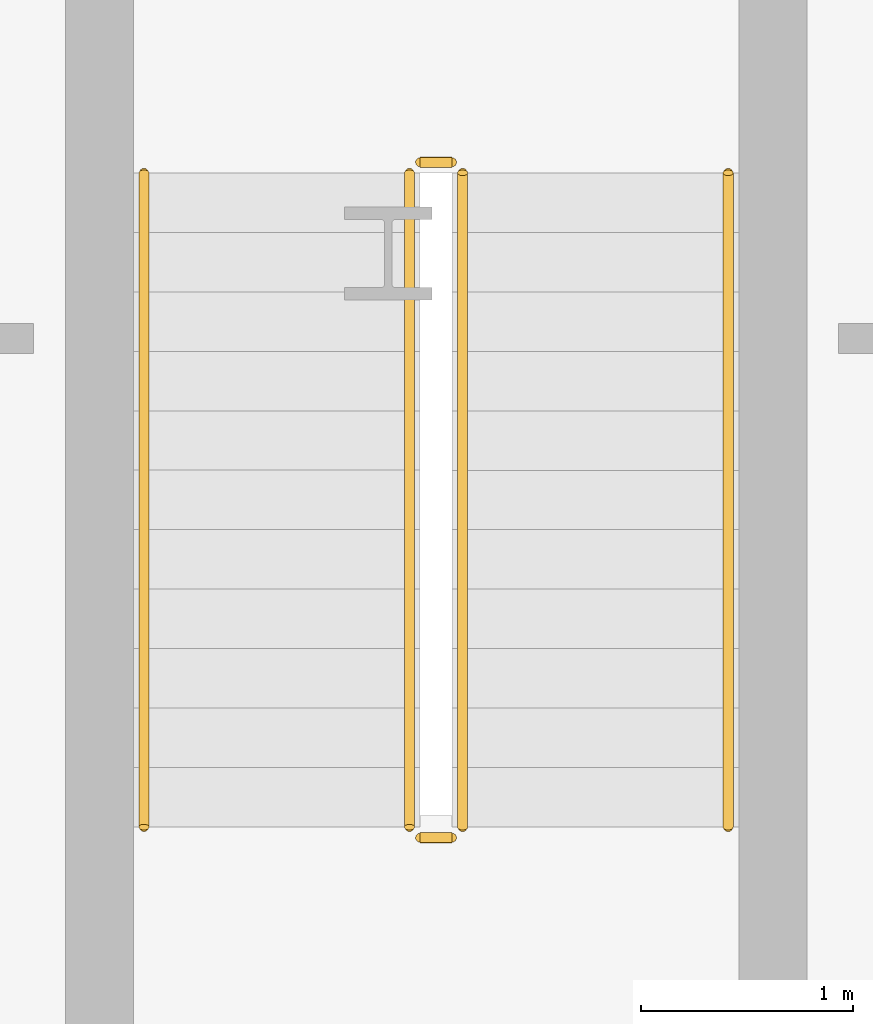
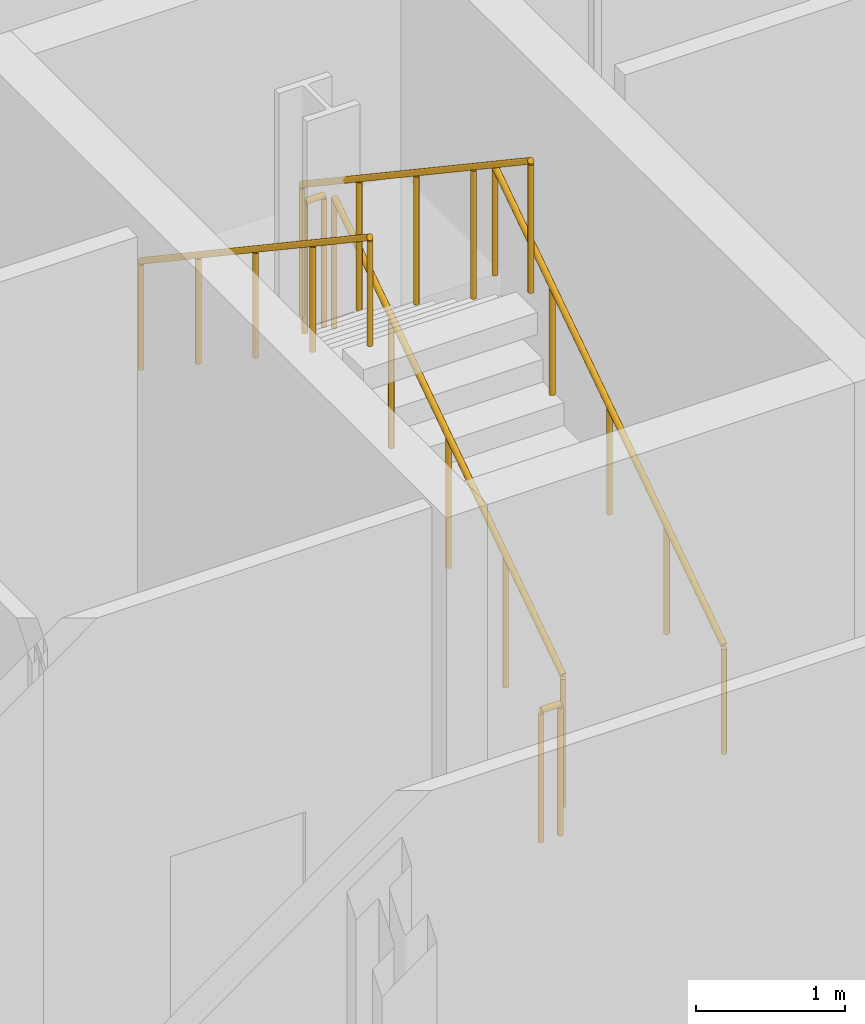
# One storey, part 25 of 25: 6 railings.
"""IFC4 building model written with IfcOpenShell, lengths in metres."""

import ifcopenshell
import ifcopenshell.guid

model = None  # the IFC model being written
_history = None  # IfcOwnerHistory: only IFC2X3 demands one
_inside = {}  # id of a spatial element -> (the spatial element, [elements in it])
_under = {}  # id of a project, library or spatial element -> (it, [spatial elements below it])
_declared = {}  # id of a project -> (the project, [libraries it declares])
_typed = {}  # id of a type object -> (the type object, [elements of that type])
_made_of = {}  # id of a material, layer set ... -> (it, [elements and type objects made of it])


def new_model(schema):
    """Start an empty IFC model of exactly this schema.

    Asked for "IFC4X3", IfcOpenShell would pick the latest addendum, in which some entities
    have other attributes; the version numbers below select the first issue.
    IFC2X3 requires an IfcOwnerHistory on every rooted entity: one is made here for all.
    """
    global model, _history
    if schema == "IFC4X3":
        model = ifcopenshell.file(schema_version=(4, 3, 0, 0))
    else:
        model = ifcopenshell.file(schema=schema)
    _inside.clear()
    _under.clear()
    _declared.clear()
    _typed.clear()
    _made_of.clear()
    _history = None
    if model.schema == "IFC2X3":
        org = make("IfcOrganization", Name="unknown")
        user = make(
            "IfcPersonAndOrganization",
            ThePerson=make("IfcPerson", FamilyName="unknown"),
            TheOrganization=org,
        )
        app = make(
            "IfcApplication",
            ApplicationDeveloper=org,
            Version="unknown",
            ApplicationFullName="unknown",
            ApplicationIdentifier="unknown",
        )
        _history = make(
            "IfcOwnerHistory",
            OwningUser=user,
            OwningApplication=app,
            ChangeAction="ADDED",
            CreationDate=0,
        )
    return model


def make(cls, **values):
    """One entity of the class cls with the attributes given. An attribute that is None is left unset."""
    return model.create_entity(
        cls, **{name: value for name, value in values.items() if value is not None}
    )


def rooted(cls, **values):
    """An entity with a GlobalId (a new one), such as an element, a storey or a relation."""
    return make(cls, GlobalId=ifcopenshell.guid.new(), OwnerHistory=_history, **values)


def si_unit(unit_type, name, prefix=None):
    """IfcSIUnit, for example si_unit("LENGTHUNIT", "METRE", prefix="MILLI")."""
    return make("IfcSIUnit", UnitType=unit_type, Prefix=prefix, Name=name)


def assignment(units):
    """IfcUnitAssignment: the units of a project."""
    return None if units is None else make("IfcUnitAssignment", Units=units)


def point(xyz):
    """IfcCartesianPoint."""
    return None if xyz is None else make("IfcCartesianPoint", Coordinates=xyz)


def direction(xyz):
    """IfcDirection."""
    return None if xyz is None else make("IfcDirection", DirectionRatios=xyz)


def frame(location, z_axis=None, x_axis=None):
    """IfcAxis2Placement3D, a coordinate frame: its origin and axes. An axis left out is left unset."""
    return make(
        "IfcAxis2Placement3D",
        Location=point(location),
        Axis=direction(z_axis),
        RefDirection=direction(x_axis),
    )


def frame_2d(location, x_axis=None):
    """IfcAxis2Placement2D, a coordinate frame in the plane: its origin and x axis."""
    return make(
        "IfcAxis2Placement2D", Location=point(location), RefDirection=direction(x_axis)
    )


def origin():
    """The frame at (0, 0, 0) with its axes left unset."""
    return frame((0.0, 0.0, 0.0))


def origin_2d():
    """The frame at (0, 0) in the plane with its x axis left unset."""
    return frame_2d((0.0, 0.0))


def place(relative_to, where):
    """IfcLocalPlacement: puts the frame where relative to a parent placement (None: the world)."""
    return make(
        "IfcLocalPlacement", PlacementRelTo=relative_to, RelativePlacement=where
    )


def context(
    kind, dimensions, precision=None, world=None, true_north=None, identifier=None
):
    """IfcGeometricRepresentationContext, for example the 3D "Model" context."""
    return make(
        "IfcGeometricRepresentationContext",
        ContextIdentifier=identifier,
        ContextType=kind,
        CoordinateSpaceDimension=dimensions,
        Precision=precision,
        WorldCoordinateSystem=world,
        TrueNorth=true_north,
    )


def subcontext(parent, identifier, kind, view, scale=None):
    """IfcGeometricRepresentationSubContext, for example "Body" below "Model"."""
    return make(
        "IfcGeometricRepresentationSubContext",
        ContextIdentifier=identifier,
        ContextType=kind,
        ParentContext=parent,
        TargetScale=scale,
        TargetView=view,
    )


def project(units=None, contexts=None):
    """IfcProject with its units and contexts."""
    return rooted(
        "IfcProject",
        Name="project",
        RepresentationContexts=contexts,
        UnitsInContext=assignment(units),
    )


def spatial(cls, under=None, at=None, **own):
    """A site, building, storey or space (cls), placed at a placement, below another one or the project."""
    s = rooted(cls, ObjectPlacement=at, **own)
    if under is not None:
        _under.setdefault(under.id(), (under, []))[1].append(s)
    return s


def profile(cls, at=None, kind="AREA", **sizes):
    """A parametric profile (cls). Its sizes go by their IFC names, for example OverallWidth=200.0."""
    return make(cls, ProfileType=kind, Position=at, **sizes)


def circle(**sizes):
    """IfcCircleProfileDef."""
    return profile("IfcCircleProfileDef", **sizes)


def extrude(swept, where, along, depth):
    """IfcExtrudedAreaSolid: the profile swept, set in the frame where, extruded along a direction by depth."""
    return make(
        "IfcExtrudedAreaSolid",
        SweptArea=swept,
        Position=where,
        ExtrudedDirection=direction(along),
        Depth=depth,
    )


def shape(context_of_items, identifier, shape_type, items):
    """IfcShapeRepresentation: the items that make up one representation, for example the "Body"."""
    return make(
        "IfcShapeRepresentation",
        ContextOfItems=context_of_items,
        RepresentationIdentifier=identifier,
        RepresentationType=shape_type,
        Items=items,
    )


def material(Name=None, Category=None):
    """IfcMaterial."""
    return make("IfcMaterial", Name=Name, Category=Category)


def made_of(thing, what):
    """Note that an element or type object is made of a material, layer set ...; save() writes the relation."""
    if what is not None:
        _made_of.setdefault(what.id(), (what, []))[1].append(thing)
    return thing


def type_object(cls, material=None, **own):
    """A type object (cls), such as IfcWallType, which elements share."""
    return made_of(rooted(cls, **own), material)


def element(
    cls,
    number,
    at=None,
    inside=None,
    cuts=None,
    type_object=None,
    material=None,
    context=None,
    identifier="Body",
    shape_type=None,
    held_by="IfcProductDefinitionShape",
    body=None,
    shapes=None,
    **own,
):
    """One element of the class cls, such as IfcWall. Its Tag is "e" and its number.

    at: its placement. inside: the storey or other place that contains it. cuts: it is an
    opening in that element (IfcRelVoidsElement). A single representation is given by context,
    identifier, shape_type and body (its items); several are given by shapes. held_by: the class
    of the entity that holds the representations. save() writes the other relations.
    """
    e = rooted(cls, Tag="e%d" % number, ObjectPlacement=at, **own)
    if body is not None:
        shapes = [shape(context, identifier, shape_type, body)]
    if shapes is not None:
        e.Representation = make(held_by, Representations=shapes)
    if inside is not None:
        _inside.setdefault(inside.id(), (inside, []))[1].append(e)
    if cuts is not None:
        rooted(
            "IfcRelVoidsElement", RelatingBuildingElement=cuts, RelatedOpeningElement=e
        )
    if type_object is not None:
        _typed.setdefault(type_object.id(), (type_object, []))[1].append(e)
    return made_of(e, material)


def aggregate(whole, parts):
    """IfcRelAggregates: a whole, such as a stair, and the parts it consists of."""
    return rooted("IfcRelAggregates", RelatingObject=whole, RelatedObjects=parts)


def save(model, path):
    """Write the relations noted so far, then the file.

    IfcRelAggregates (storeys below a building ...), IfcRelContainedInSpatialStructure (elements
    in a storey), IfcRelDefinesByType, IfcRelAssociatesMaterial and IfcRelDeclares: one each for
    every whole, place, type object, material and project.
    """
    for whole, parts in _under.values():
        aggregate(whole, parts)
    for where, things in _inside.values():
        rooted(
            "IfcRelContainedInSpatialStructure",
            RelatedElements=things,
            RelatingStructure=where,
        )
    for kind, things in _typed.values():
        rooted("IfcRelDefinesByType", RelatedObjects=things, RelatingType=kind)
    for what, things in _made_of.values():
        rooted("IfcRelAssociatesMaterial", RelatedObjects=things, RelatingMaterial=what)
    for by, libraries in _declared.values():
        rooted("IfcRelDeclares", RelatingContext=by, RelatedDefinitions=libraries)
    model.write(path)


model = new_model("IFC4")

# Units and contexts
model_context = context("Model", 3, precision=1e-05, world=origin(), true_north=direction((0.0, 1.0)))
body_context = subcontext(model_context, "Body", "Model", "MODEL_VIEW")
ifc_project = project(units=[si_unit("LENGTHUNIT", "METRE"), si_unit("AREAUNIT", "SQUARE_METRE"), si_unit("VOLUMEUNIT", "CUBIC_METRE"), si_unit("PLANEANGLEUNIT", "RADIAN"), si_unit("MASSUNIT", "GRAM", prefix="KILO")], contexts=[model_context])

# Site, building, storey
site_placement = place(None, origin())
site = spatial("IfcSite", under=ifc_project, at=site_placement, CompositionType="ELEMENT")
building_placement = place(site_placement, origin())
building = spatial("IfcBuilding", under=site, at=building_placement, Name="Brevholm Reach", CompositionType="ELEMENT")
storey_placement = place(building_placement, frame((0.0, 0.0, 4.5)))
storey = spatial("IfcBuildingStorey", under=building, at=storey_placement, Name="L01", CompositionType="ELEMENT", Elevation=4.5)

# Railings
ifc_material_1 = material(Name="Brushed Stainless Steel EN 1.4401 Continuous Handrail", Category="steel")
railing_type_1 = type_object("IfcRailingType", Name="RAL-HND-950", PredefinedType="HANDRAIL", material=ifc_material_1)
railing_1_placement = place(storey_placement, frame((58.60009765625, 34.5, 0.1875)))
element("IfcRailing", 1, at=railing_1_placement, inside=storey, type_object=railing_type_1, Name="L01 ST-S4 stair handrail 1", PredefinedType="HANDRAIL", context=body_context, shape_type="SweptSolid", body=[
    extrude(circle(Radius=0.02392578125, at=origin_2d()), frame((0.0, 0.0, 0.8857421875), z_axis=(0.0, 0.830913701846, 0.55640131208), x_axis=(-1.0, 0.0, 0.0)), (0.0, 0.0, 1.0), 3.706787109375),
    extrude(circle(Radius=0.02099609375, at=origin_2d()), origin(), (0.0, 0.0, 1.0), 0.86181640625),
    extrude(circle(Radius=0.02099609375, at=origin_2d()), frame((0.0, 0.77001953125, 0.515625)), (0.0, 0.0, 1.0), 0.86181640625),
    extrude(circle(Radius=0.02099609375, at=origin_2d()), frame((0.0, 1.5400390625, 1.03125)), (0.0, 0.0, 1.0), 0.86181640625),
    extrude(circle(Radius=0.02099609375, at=origin_2d()), frame((0.0, 2.31005859375, 1.546875)), (0.0, 0.0, 1.0), 0.86181640625),
    extrude(circle(Radius=0.02099609375, at=origin_2d()), frame((0.0, 3.080078125, 2.0625)), (0.0, 0.0, 1.0), 0.86181640625),
])
railing_2_placement = place(storey_placement, frame((55.85009765625, 37.580078125, 2.4375)))
element("IfcRailing", 2, at=railing_2_placement, inside=storey, type_object=railing_type_1, Name="L01 ST-S4 stair handrail 2", PredefinedType="HANDRAIL", context=body_context, shape_type="SweptSolid", body=[
    extrude(circle(Radius=0.02392578125, at=origin_2d()), frame((0.0, 0.0, 0.8857421875), z_axis=(0.0, -0.830913701846, 0.55640131208), x_axis=(1.0, 0.0, 0.0)), (0.0, 0.0, 1.0), 3.706787109375),
    extrude(circle(Radius=0.02099609375, at=origin_2d()), origin(), (0.0, 0.0, 1.0), 0.86181640625),
    extrude(circle(Radius=0.02099609375, at=origin_2d()), frame((0.0, -0.77001953125, 0.515625)), (0.0, 0.0, 1.0), 0.86181640625),
    extrude(circle(Radius=0.02099609375, at=origin_2d()), frame((0.0, -1.5400390625, 1.03125)), (0.0, 0.0, 1.0), 0.86181640625),
    extrude(circle(Radius=0.02099609375, at=origin_2d()), frame((0.0, -2.31005859375, 1.546875)), (0.0, 0.0, 1.0), 0.86181640625),
    extrude(circle(Radius=0.02099609375, at=origin_2d()), frame((0.0, -3.080078125, 2.0625)), (0.0, 0.0, 1.0), 0.86181640625),
])
ifc_material_2 = material(Name="Painted Tubular Galvanised Steel S275JR Stair Guard", Category="steel")
railing_type_2 = type_object("IfcRailingType", Name="RAL-STG-1120", PredefinedType="BALUSTRADE", material=ifc_material_2)
railing_3_placement = place(storey_placement, frame((57.35009765625, 34.5, 0.1875)))
element("IfcRailing", 3, at=railing_3_placement, inside=storey, type_object=railing_type_2, Name="L01 ST-S4 stair guard 1", PredefinedType="BALUSTRADE", context=body_context, shape_type="SweptSolid", body=[
    extrude(circle(Radius=0.02392578125, at=origin_2d()), frame((0.0, 0.0, 1.076171875), z_axis=(0.0, 0.830913701846, 0.55640131208), x_axis=(-1.0, 0.0, 0.0)), (0.0, 0.0, 1.0), 3.706787109375),
    extrude(circle(Radius=0.02099609375, at=origin_2d()), origin(), (0.0, 0.0, 1.0), 1.052001953125),
    extrude(circle(Radius=0.02099609375, at=origin_2d()), frame((0.0, 0.77001953125, 0.515625)), (0.0, 0.0, 1.0), 1.052001953125),
    extrude(circle(Radius=0.02099609375, at=origin_2d()), frame((0.0, 1.5400390625, 1.03125)), (0.0, 0.0, 1.0), 1.052001953125),
    extrude(circle(Radius=0.02099609375, at=origin_2d()), frame((0.0, 2.31005859375, 1.546875)), (0.0, 0.0, 1.0), 1.052001953125),
    extrude(circle(Radius=0.02099609375, at=origin_2d()), frame((0.0, 3.080078125, 2.0625)), (0.0, 0.0, 1.0), 1.052001953125),
])
railing_4_placement = place(storey_placement, frame((57.300048828125, 37.6298828125, 2.25)))
element("IfcRailing", 4, at=railing_4_placement, inside=storey, type_object=railing_type_2, Name="L01 ST-S4 stair guard 2", PredefinedType="BALUSTRADE", context=body_context, shape_type="SweptSolid", body=[
    extrude(circle(Radius=0.02392578125, at=origin_2d()), frame((0.0, 0.0, 1.076171875), z_axis=(-1.0, 0.0, 0.0), x_axis=(0.0, -1.0, 0.0)), (0.0, 0.0, 1.0), 0.150146484375),
    extrude(circle(Radius=0.02099609375, at=origin_2d()), origin(), (0.0, 0.0, 1.0), 1.052001953125),
    extrude(circle(Radius=0.02099609375, at=origin_2d()), frame((-0.150146484375, 0.0, 0.0)), (0.0, 0.0, 1.0), 1.052001953125),
])
railing_5_placement = place(storey_placement, frame((57.10009765625, 37.580078125, 2.4375)))
element("IfcRailing", 5, at=railing_5_placement, inside=storey, type_object=railing_type_2, Name="L01 ST-S4 stair guard 3", PredefinedType="BALUSTRADE", context=body_context, shape_type="SweptSolid", body=[
    extrude(circle(Radius=0.02392578125, at=origin_2d()), frame((0.0, 0.0, 1.076171875), z_axis=(0.0, -0.830913701846, 0.55640131208), x_axis=(1.0, 0.0, 0.0)), (0.0, 0.0, 1.0), 3.706787109375),
    extrude(circle(Radius=0.02099609375, at=origin_2d()), origin(), (0.0, 0.0, 1.0), 1.052001953125),
    extrude(circle(Radius=0.02099609375, at=origin_2d()), frame((0.0, -0.77001953125, 0.515625)), (0.0, 0.0, 1.0), 1.052001953125),
    extrude(circle(Radius=0.02099609375, at=origin_2d()), frame((0.0, -1.5400390625, 1.03125)), (0.0, 0.0, 1.0), 1.052001953125),
    extrude(circle(Radius=0.02099609375, at=origin_2d()), frame((0.0, -2.31005859375, 1.546875)), (0.0, 0.0, 1.0), 1.052001953125),
    extrude(circle(Radius=0.02099609375, at=origin_2d()), frame((0.0, -3.080078125, 2.0625)), (0.0, 0.0, 1.0), 1.052001953125),
])
railing_6_placement = place(storey_placement, frame((57.300048828125, 34.449951171875, 0.0)))
element("IfcRailing", 6, at=railing_6_placement, inside=storey, type_object=railing_type_2, Name="L01 ST-S4 stair guard 4", PredefinedType="BALUSTRADE", context=body_context, shape_type="SweptSolid", body=[
    extrude(circle(Radius=0.02392578125, at=origin_2d()), frame((0.0, 0.0, 1.076171875), z_axis=(-1.0, 0.0, 0.0), x_axis=(0.0, -1.0, 0.0)), (0.0, 0.0, 1.0), 0.150146484375),
    extrude(circle(Radius=0.02099609375, at=origin_2d()), origin(), (0.0, 0.0, 1.0), 1.052001953125),
    extrude(circle(Radius=0.02099609375, at=origin_2d()), frame((-0.150146484375, 0.0, 0.0)), (0.0, 0.0, 1.0), 1.052001953125),
])

save(model, "model.ifc")
